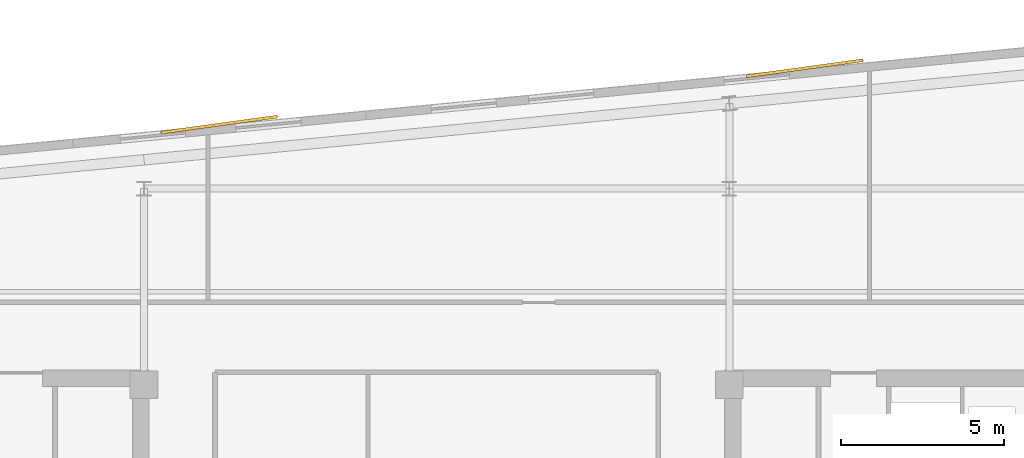
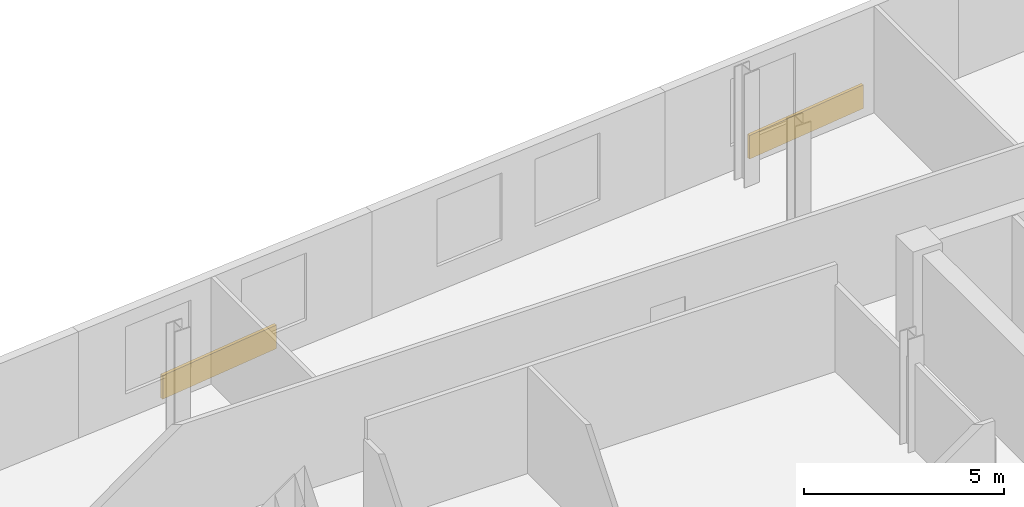
# One storey, part 8 of 8: 2 coverings.
"""IFC4 building model written with IfcOpenShell, lengths in metres."""

from ifc_helpers import new_model, si_unit, direction, frame, origin, origin_2d, place, context, subcontext, project, spatial, rectangle, extrude, material, layer, layer_set, type_object, element, save


model = new_model("IFC4")

# Units and contexts
model_context = context("Model", 3, precision=1e-05, world=origin(), true_north=direction((0.0, 1.0)))
body_context = subcontext(model_context, "Body", "Model", "MODEL_VIEW")
ifc_project = project(units=[si_unit("LENGTHUNIT", "METRE"), si_unit("AREAUNIT", "SQUARE_METRE"), si_unit("VOLUMEUNIT", "CUBIC_METRE"), si_unit("PLANEANGLEUNIT", "RADIAN"), si_unit("MASSUNIT", "GRAM", prefix="KILO")], contexts=[model_context])

# Site, building, storey
site_placement = place(None, origin())
site = spatial("IfcSite", under=ifc_project, at=site_placement, CompositionType="ELEMENT")
building_placement = place(site_placement, origin())
building = spatial("IfcBuilding", under=site, at=building_placement, Name="Velakula Bourse", CompositionType="ELEMENT")
storey_placement = place(building_placement, frame((0.0, 0.0, 258.60009765625)))
storey = spatial("IfcBuildingStorey", under=building, at=storey_placement, Name="L70", CompositionType="ELEMENT", Elevation=258.60009765625)

# Coverings
ifc_material = material(Name="Buff kilned clay facing brick masonry", Category="masonry")
ifc_layer = layer(ifc_material, 0.074951171875, Name="Buff kilned clay facing brick masonry", Category="masonry")
ifc_layer_set = layer_set([ifc_layer], Name="Buff kilned clay facing brick masonry")
covering_type = type_object("IfcCoveringType", Name="COV-BRK-SPN-75", PredefinedType="CLADDING", material=ifc_layer_set)
for number, where, z_axis, x_axis, name in (
    (1, (-6.655029296875, 16.555908203125, 0.0), (0.0, 0.0, 1.0), (0.990629029058, 0.136580111242, 0.0), "L70 Folded Brick Facade Cladding Panel N-B2"),
    (2, (11.26220703125, 18.281005859375, 0.0), (0.0, 0.0, 1.0), (0.990629029058, 0.136580111242, 0.0), "L70 Folded Brick Facade Cladding Panel N-B4"),
):
    element("IfcCovering", number, at=place(storey_placement, frame(where, z_axis=z_axis, x_axis=x_axis)), inside=storey, type_object=covering_type, Name=name, PredefinedType="CLADDING", context=body_context, shape_type="SweptSolid", body=[
        extrude(rectangle(XDim=3.60009765625, YDim=0.090087890625, at=origin_2d()), origin(), (0.0, 0.0, 1.0), 0.719970703125),
    ])

save(model, "model.ifc")
